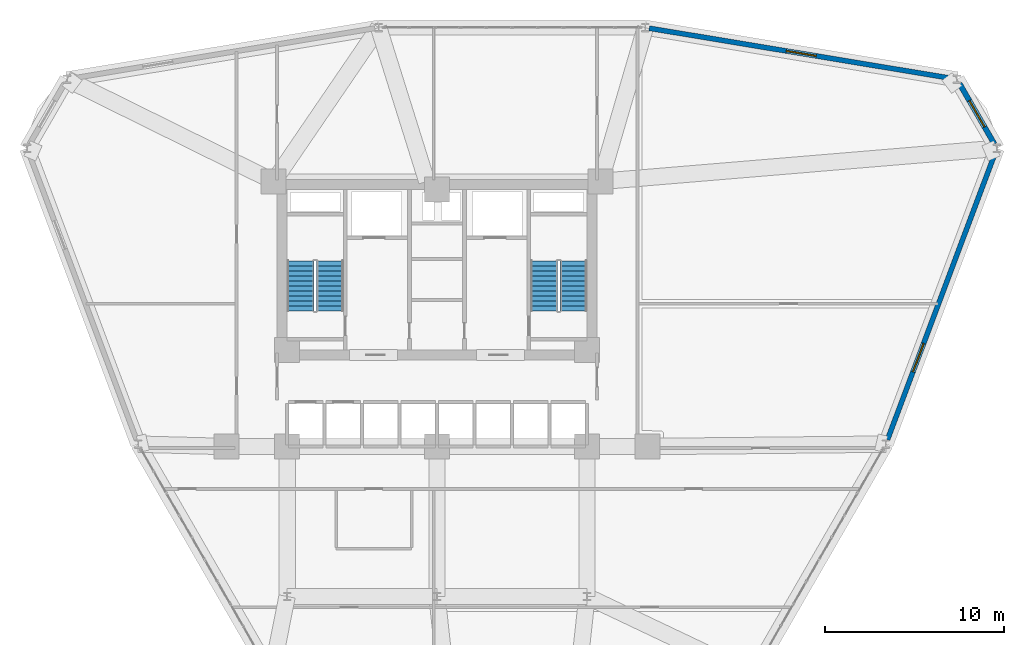
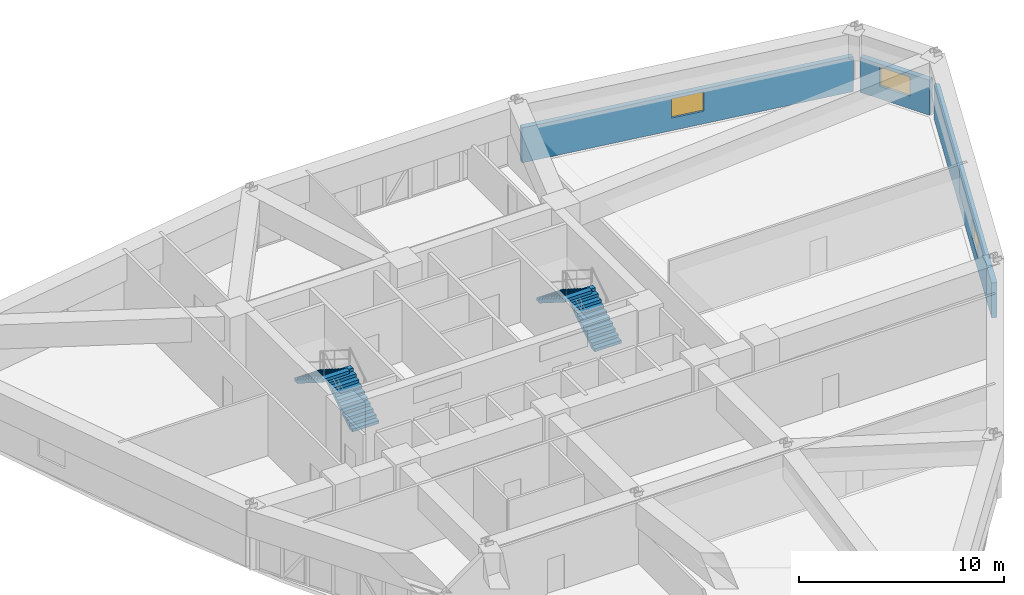
# One storey, part 15 of 17: 4 stair flights, 3 walls, 3 windows, 3 openings, 2 elements without a shape of their own.
"""IFC4 building model written with IfcOpenShell, lengths in metres."""

import ifcopenshell
import ifcopenshell.guid

model = None  # the IFC model being written
_history = None  # IfcOwnerHistory: only IFC2X3 demands one
_inside = {}  # id of a spatial element -> (the spatial element, [elements in it])
_under = {}  # id of a project, library or spatial element -> (it, [spatial elements below it])
_declared = {}  # id of a project -> (the project, [libraries it declares])
_typed = {}  # id of a type object -> (the type object, [elements of that type])
_made_of = {}  # id of a material, layer set ... -> (it, [elements and type objects made of it])


def new_model(schema):
    """Start an empty IFC model of exactly this schema.

    Asked for "IFC4X3", IfcOpenShell would pick the latest addendum, in which some entities
    have other attributes; the version numbers below select the first issue.
    IFC2X3 requires an IfcOwnerHistory on every rooted entity: one is made here for all.
    """
    global model, _history
    if schema == "IFC4X3":
        model = ifcopenshell.file(schema_version=(4, 3, 0, 0))
    else:
        model = ifcopenshell.file(schema=schema)
    _inside.clear()
    _under.clear()
    _declared.clear()
    _typed.clear()
    _made_of.clear()
    _history = None
    if model.schema == "IFC2X3":
        org = make("IfcOrganization", Name="unknown")
        user = make(
            "IfcPersonAndOrganization",
            ThePerson=make("IfcPerson", FamilyName="unknown"),
            TheOrganization=org,
        )
        app = make(
            "IfcApplication",
            ApplicationDeveloper=org,
            Version="unknown",
            ApplicationFullName="unknown",
            ApplicationIdentifier="unknown",
        )
        _history = make(
            "IfcOwnerHistory",
            OwningUser=user,
            OwningApplication=app,
            ChangeAction="ADDED",
            CreationDate=0,
        )
    return model


def make(cls, **values):
    """One entity of the class cls with the attributes given. An attribute that is None is left unset."""
    return model.create_entity(
        cls, **{name: value for name, value in values.items() if value is not None}
    )


def rooted(cls, **values):
    """An entity with a GlobalId (a new one), such as an element, a storey or a relation."""
    return make(cls, GlobalId=ifcopenshell.guid.new(), OwnerHistory=_history, **values)


def si_unit(unit_type, name, prefix=None):
    """IfcSIUnit, for example si_unit("LENGTHUNIT", "METRE", prefix="MILLI")."""
    return make("IfcSIUnit", UnitType=unit_type, Prefix=prefix, Name=name)


def derived_unit(unit_type, elements):
    """IfcDerivedUnit: a product of units, each with its exponent."""
    return make(
        "IfcDerivedUnit",
        Elements=[
            make("IfcDerivedUnitElement", Unit=unit, Exponent=power)
            for unit, power in elements
        ],
        UnitType=unit_type,
    )


def assignment(units):
    """IfcUnitAssignment: the units of a project."""
    return None if units is None else make("IfcUnitAssignment", Units=units)


def point(xyz):
    """IfcCartesianPoint."""
    return None if xyz is None else make("IfcCartesianPoint", Coordinates=xyz)


def direction(xyz):
    """IfcDirection."""
    return None if xyz is None else make("IfcDirection", DirectionRatios=xyz)


def frame(location, z_axis=None, x_axis=None):
    """IfcAxis2Placement3D, a coordinate frame: its origin and axes. An axis left out is left unset."""
    return make(
        "IfcAxis2Placement3D",
        Location=point(location),
        Axis=direction(z_axis),
        RefDirection=direction(x_axis),
    )


def frame_2d(location, x_axis=None):
    """IfcAxis2Placement2D, a coordinate frame in the plane: its origin and x axis."""
    return make(
        "IfcAxis2Placement2D", Location=point(location), RefDirection=direction(x_axis)
    )


def origin():
    """The frame at (0, 0, 0) with its axes left unset."""
    return frame((0.0, 0.0, 0.0))


def place(relative_to, where):
    """IfcLocalPlacement: puts the frame where relative to a parent placement (None: the world)."""
    return make(
        "IfcLocalPlacement", PlacementRelTo=relative_to, RelativePlacement=where
    )


def context(
    kind, dimensions, precision=None, world=None, true_north=None, identifier=None
):
    """IfcGeometricRepresentationContext, for example the 3D "Model" context."""
    return make(
        "IfcGeometricRepresentationContext",
        ContextIdentifier=identifier,
        ContextType=kind,
        CoordinateSpaceDimension=dimensions,
        Precision=precision,
        WorldCoordinateSystem=world,
        TrueNorth=true_north,
    )


def subcontext(parent, identifier, kind, view, scale=None):
    """IfcGeometricRepresentationSubContext, for example "Body" below "Model"."""
    return make(
        "IfcGeometricRepresentationSubContext",
        ContextIdentifier=identifier,
        ContextType=kind,
        ParentContext=parent,
        TargetScale=scale,
        TargetView=view,
    )


def project(units=None, contexts=None):
    """IfcProject with its units and contexts."""
    return rooted(
        "IfcProject",
        Name="project",
        RepresentationContexts=contexts,
        UnitsInContext=assignment(units),
    )


def spatial(cls, under=None, at=None, **own):
    """A site, building, storey or space (cls), placed at a placement, below another one or the project."""
    s = rooted(cls, ObjectPlacement=at, **own)
    if under is not None:
        _under.setdefault(under.id(), (under, []))[1].append(s)
    return s


def polyline(points):
    """IfcPolyline through the points."""
    return make("IfcPolyline", Points=[point(p) for p in points])


def profile(cls, at=None, kind="AREA", **sizes):
    """A parametric profile (cls). Its sizes go by their IFC names, for example OverallWidth=200.0."""
    return make(cls, ProfileType=kind, Position=at, **sizes)


def rectangle(**sizes):
    """IfcRectangleProfileDef."""
    return profile("IfcRectangleProfileDef", **sizes)


def outline(outer, holes=None, kind="AREA"):
    """IfcArbitraryClosedProfileDef: a profile drawn as a closed curve; with holes, ...WithVoids."""
    if holes is None:
        return make("IfcArbitraryClosedProfileDef", ProfileType=kind, OuterCurve=outer)
    return make(
        "IfcArbitraryProfileDefWithVoids",
        ProfileType=kind,
        OuterCurve=outer,
        InnerCurves=holes,
    )


def extrude(swept, where, along, depth):
    """IfcExtrudedAreaSolid: the profile swept, set in the frame where, extruded along a direction by depth."""
    return make(
        "IfcExtrudedAreaSolid",
        SweptArea=swept,
        Position=where,
        ExtrudedDirection=direction(along),
        Depth=depth,
    )


def shape(context_of_items, identifier, shape_type, items):
    """IfcShapeRepresentation: the items that make up one representation, for example the "Body"."""
    return make(
        "IfcShapeRepresentation",
        ContextOfItems=context_of_items,
        RepresentationIdentifier=identifier,
        RepresentationType=shape_type,
        Items=items,
    )


def material(Name=None, Category=None):
    """IfcMaterial."""
    return make("IfcMaterial", Name=Name, Category=Category)


def layer(
    of_material, thickness, ventilated=None, Name=None, Category=None, Priority=None
):
    """IfcMaterialLayer: one layer of a wall or slab, of a material (None: an air gap)."""
    return make(
        "IfcMaterialLayer",
        Material=of_material,
        LayerThickness=thickness,
        IsVentilated=ventilated,
        Name=Name,
        Category=Category,
        Priority=Priority,
    )


def layer_set(layers, Name=None):
    """IfcMaterialLayerSet."""
    return make("IfcMaterialLayerSet", MaterialLayers=layers, LayerSetName=Name)


def made_of(thing, what):
    """Note that an element or type object is made of a material, layer set ...; save() writes the relation."""
    if what is not None:
        _made_of.setdefault(what.id(), (what, []))[1].append(thing)
    return thing


def type_object(cls, material=None, **own):
    """A type object (cls), such as IfcWallType, which elements share."""
    return made_of(rooted(cls, **own), material)


def element(
    cls,
    number,
    at=None,
    inside=None,
    cuts=None,
    type_object=None,
    material=None,
    context=None,
    identifier="Body",
    shape_type=None,
    held_by="IfcProductDefinitionShape",
    body=None,
    shapes=None,
    **own,
):
    """One element of the class cls, such as IfcWall. Its Tag is "e" and its number.

    at: its placement. inside: the storey or other place that contains it. cuts: it is an
    opening in that element (IfcRelVoidsElement). A single representation is given by context,
    identifier, shape_type and body (its items); several are given by shapes. held_by: the class
    of the entity that holds the representations. save() writes the other relations.
    """
    e = rooted(cls, Tag="e%d" % number, ObjectPlacement=at, **own)
    if body is not None:
        shapes = [shape(context, identifier, shape_type, body)]
    if shapes is not None:
        e.Representation = make(held_by, Representations=shapes)
    if inside is not None:
        _inside.setdefault(inside.id(), (inside, []))[1].append(e)
    if cuts is not None:
        rooted(
            "IfcRelVoidsElement", RelatingBuildingElement=cuts, RelatedOpeningElement=e
        )
    if type_object is not None:
        _typed.setdefault(type_object.id(), (type_object, []))[1].append(e)
    return made_of(e, material)


def fill(opening, filler):
    """IfcRelFillsElement: the door or window that sits in an opening."""
    return rooted(
        "IfcRelFillsElement",
        RelatingOpeningElement=opening,
        RelatedBuildingElement=filler,
    )


def aggregate(whole, parts):
    """IfcRelAggregates: a whole, such as a stair, and the parts it consists of."""
    return rooted("IfcRelAggregates", RelatingObject=whole, RelatedObjects=parts)


def save(model, path):
    """Write the relations noted so far, then the file.

    IfcRelAggregates (storeys below a building ...), IfcRelContainedInSpatialStructure (elements
    in a storey), IfcRelDefinesByType, IfcRelAssociatesMaterial and IfcRelDeclares: one each for
    every whole, place, type object, material and project.
    """
    for whole, parts in _under.values():
        aggregate(whole, parts)
    for where, things in _inside.values():
        rooted(
            "IfcRelContainedInSpatialStructure",
            RelatedElements=things,
            RelatingStructure=where,
        )
    for kind, things in _typed.values():
        rooted("IfcRelDefinesByType", RelatedObjects=things, RelatingType=kind)
    for what, things in _made_of.values():
        rooted("IfcRelAssociatesMaterial", RelatedObjects=things, RelatingMaterial=what)
    for by, libraries in _declared.values():
        rooted("IfcRelDeclares", RelatingContext=by, RelatedDefinitions=libraries)
    model.write(path)


model = new_model("IFC4")

# Units and contexts
model_context = context("Model", 3, precision=1e-05, world=origin(), true_north=direction((0.0, 1.0)))
body_context = subcontext(model_context, "Body", "Model", "MODEL_VIEW")
ifc_project = project(units=[si_unit("LENGTHUNIT", "METRE"), si_unit("AREAUNIT", "SQUARE_METRE"), si_unit("VOLUMEUNIT", "CUBIC_METRE"), si_unit("PLANEANGLEUNIT", "RADIAN"), si_unit("MASSUNIT", "GRAM", prefix="KILO"), derived_unit("THERMALTRANSMITTANCEUNIT", [(si_unit("POWERUNIT", "WATT"), 1), (si_unit("LENGTHUNIT", "METRE"), -2), (si_unit("THERMODYNAMICTEMPERATUREUNIT", "KELVIN"), -1)])], contexts=[model_context])

# Site, building, storey
site_placement = place(None, origin())
site = spatial("IfcSite", under=ifc_project, at=site_placement, CompositionType="ELEMENT")
building_placement = place(site_placement, origin())
building = spatial("IfcBuilding", under=site, at=building_placement, Name="Korsvarv Bourse and Concert Hall", CompositionType="ELEMENT")
storey_placement = place(building_placement, frame((0.0, 0.0, 83.39990234375)))
storey = spatial("IfcBuildingStorey", under=building, at=storey_placement, Name="L20", CompositionType="ELEMENT", Elevation=83.39990234375)

# Wall, opening, window
ifc_material_1 = material(Name="Precast concrete C45/55 with terracotta rainscreen", Category="concrete")
ifc_layer_1 = layer(ifc_material_1, 0.300048828125)
ifc_layer_set_1 = layer_set([ifc_layer_1], Name="Precast concrete C45/55 with terracotta rainscreen")
wall_type_1 = type_object("IfcWallType", Name="WL-EXT-TC1", PredefinedType="SOLIDWALL", material=ifc_layer_set_1)
wall_1_placement = place(storey_placement, frame((67.222412109375, 49.34423828125, 0.0), z_axis=(0.0, 0.0, 1.0), x_axis=(-0.500014353419, 0.866017116675, 0.0)))
wall_1 = element("IfcWall", 1, at=wall_1_placement, inside=storey, type_object=wall_type_1, Name="L20 terracotta exterior wall EW-L20-B01", PredefinedType="SOLIDWALL", context=body_context, shape_type="SweptSolid", body=[
    extrude(rectangle(XDim=3.90966796875, YDim=0.300048828125, at=frame_2d((1.954833984375, 0.0))), origin(), (0.0, 0.0, 1.0), 2.080078125),
])
opening_1_placement = place(wall_1_placement, frame((1.104736328125, 0.0, 0.75)))
opening_1 = element("IfcOpeningElement", 2, at=opening_1_placement, cuts=wall_1, Name="Opening W-06", PredefinedType="OPENING", context=body_context, shape_type="SweptSolid", body=[
    extrude(rectangle(XDim=1.699951171875, YDim=1.14990234375, at=frame_2d((0.85009765625, 0.574951171875))), frame((0.0, 0.16015625, 0.0), z_axis=(0.0, -1.0, 0.0), x_axis=(1.0, 0.0, 0.0)), (0.0, 0.0, 1.0), 0.320068359375),
])
ifc_material_2 = material(Name="Thermally broken aluminium frame with triple low-E glass", Category="glass")
window_type = type_object("IfcWindowType", Name="WIN-TW1-1700X1150", PartitioningType="SINGLE_PANEL", PredefinedType="WINDOW", material=ifc_material_2)
window_1_placement = place(opening_1_placement, origin())
window_1 = element("IfcWindow", 3, at=window_1_placement, inside=storey, type_object=window_type, Name="L20 punched facade window W-06", OverallHeight=1.14990234375, OverallWidth=1.699951171875, PartitioningType="SINGLE_PANEL", PredefinedType="WINDOW", context=body_context, shape_type="SweptSolid", body=[
    extrude(rectangle(XDim=1.699951171875, YDim=1.14990234375, at=frame_2d((0.85009765625, 0.574951171875))), frame((0.0, 0.030029296875, 0.0), z_axis=(0.0, -1.0, 0.0), x_axis=(1.0, 0.0, 0.0)), (0.0, 0.0, 1.0), 0.06005859375),
])
fill(opening_1, window_1)

ifc_material_3 = material(Name="Precast concrete C45/55 with fluted terracotta pier", Category="concrete")
ifc_layer_2 = layer(ifc_material_3, 0.280029296875)
ifc_layer_set_2 = layer_set([ifc_layer_2], Name="Precast concrete C45/55 with fluted terracotta pier")
wall_type_2 = type_object("IfcWallType", Name="WL-EXT-TC2", PredefinedType="SOLIDWALL", material=ifc_layer_set_2)
wall_2_placement = place(storey_placement, frame((64.910888671875, 53.008056640625, 0.0), z_axis=(0.0, 0.0, 1.0), x_axis=(-0.986523232029, 0.163621247604, 0.0)))
wall_2 = element("IfcWall", 4, at=wall_2_placement, inside=storey, type_object=wall_type_2, Name="L20 terracotta exterior wall EW-L20-B02", PredefinedType="SOLIDWALL", context=body_context, shape_type="SweptSolid", body=[
    extrude(rectangle(XDim=17.2578125, YDim=0.280029296875, at=frame_2d((8.62890625, 0.0))), origin(), (0.0, 0.0, 1.0), 2.080078125),
])
opening_2_placement = place(wall_2_placement, frame((7.77880859375, 0.0, 0.75)))
opening_2 = element("IfcOpeningElement", 5, at=opening_2_placement, cuts=wall_2, Name="Opening W-06", PredefinedType="OPENING", context=body_context, shape_type="SweptSolid", body=[
    extrude(rectangle(XDim=1.699951171875, YDim=1.14990234375, at=frame_2d((0.85009765625, 0.574951171875))), frame((0.0, 0.14990234375, 0.0), z_axis=(0.0, -1.0, 0.0), x_axis=(1.0, 0.0, 0.0)), (0.0, 0.0, 1.0), 0.300048828125),
])
window_2_placement = place(opening_2_placement, origin())
window_2 = element("IfcWindow", 6, at=window_2_placement, inside=storey, type_object=window_type, Name="L20 punched facade window W-06", OverallHeight=1.14990234375, OverallWidth=1.699951171875, PartitioningType="SINGLE_PANEL", PredefinedType="WINDOW", context=body_context, shape_type="SweptSolid", body=[
    extrude(rectangle(XDim=1.699951171875, YDim=1.14990234375, at=frame_2d((0.85009765625, 0.574951171875))), frame((0.0, 0.030029296875, 0.0), z_axis=(0.0, -1.0, 0.0), x_axis=(1.0, 0.0, 0.0)), (0.0, 0.0, 1.0), 0.06005859375),
])
fill(opening_2, window_2)

wall_3_placement = place(storey_placement, frame((61.231201171875, 32.776123046875, 0.0), z_axis=(0.0, 0.0, 1.0), x_axis=(0.351559441404, 0.936165561832, 0.0)))
wall_3 = element("IfcWall", 7, at=wall_3_placement, inside=storey, type_object=wall_type_2, Name="L20 terracotta exterior wall EW-L20-B12", PredefinedType="SOLIDWALL", context=body_context, shape_type="SweptSolid", body=[
    extrude(rectangle(XDim=17.1806640625, YDim=0.280029296875, at=frame_2d((8.59033203125, 0.0))), origin(), (0.0, 0.0, 1.0), 2.080078125),
])
opening_3_placement = place(wall_3_placement, frame((4.0703125, 0.0, 0.75)))
opening_3 = element("IfcOpeningElement", 8, at=opening_3_placement, cuts=wall_3, Name="Opening W-06", PredefinedType="OPENING", context=body_context, shape_type="SweptSolid", body=[
    extrude(rectangle(XDim=1.699951171875, YDim=1.14990234375, at=frame_2d((0.85009765625, 0.574951171875))), frame((0.0, 0.14990234375, 0.0), z_axis=(0.0, -1.0, 0.0), x_axis=(1.0, 0.0, 0.0)), (0.0, 0.0, 1.0), 0.300048828125),
])
window_3_placement = place(opening_3_placement, origin())
window_3 = element("IfcWindow", 9, at=window_3_placement, inside=storey, type_object=window_type, Name="L20 punched facade window W-06", OverallHeight=1.14990234375, OverallWidth=1.699951171875, PartitioningType="SINGLE_PANEL", PredefinedType="WINDOW", context=body_context, shape_type="SweptSolid", body=[
    extrude(rectangle(XDim=1.699951171875, YDim=1.14990234375, at=frame_2d((0.85009765625, 0.574951171875))), frame((0.0, 0.030029296875, 0.0), z_axis=(0.0, -1.0, 0.0), x_axis=(1.0, 0.0, 0.0)), (0.0, 0.0, 1.0), 0.06005859375),
])
fill(opening_3, window_3)

# Stair, stair flights
ifc_material_4 = material(Name="Precast concrete C45/55", Category="concrete")
stair_type = type_object("IfcStairType", Name="STR-TYPE-03", PredefinedType="HALF_TURN_STAIR", material=ifc_material_4)
stair_1_placement = place(storey_placement, origin())
stair_1 = element("IfcStair", 10, at=stair_1_placement, inside=storey, type_object=stair_type, Name="L20 Tower West Exit Stair ST-T1", PredefinedType="HALF_TURN_STAIR")
stair_flight_type = type_object("IfcStairFlightType", Name="FLT-TYPE-03", PredefinedType="STRAIGHT", material=ifc_material_4)
stair_flight_1_placement = place(storey_placement, frame((30.010009765625, 40.0, 0.0), z_axis=(0.0, 0.0, 1.0), x_axis=(0.0, 1.0, 0.0)))
stair_flight_1 = element("IfcStairFlight", 11, at=stair_flight_1_placement, type_object=stair_flight_type, Name="ST-T1 flight 1", NumberOfRisers=11, NumberOfTreads=10, PredefinedType="STRAIGHT", RiserHeight=0.177272727, TreadLength=0.28, context=body_context, shape_type="SweptSolid", body=[
    extrude(outline(polyline([(0.0, 0.0), (0.0, 0.17724609375), (0.280029296875, 0.17724609375), (0.280029296875, 0.3544921875), (0.56005859375, 0.3544921875), (0.56005859375, 0.53173828125), (0.840087890625, 0.53173828125), (0.840087890625, 0.708984375), (1.1201171875, 0.708984375), (1.1201171875, 0.886474609375), (1.39990234375, 0.886474609375), (1.39990234375, 1.063720703125), (1.679931640625, 1.063720703125), (1.679931640625, 1.240966796875), (1.9599609375, 1.240966796875), (1.9599609375, 1.418212890625), (2.239990234375, 1.418212890625), (2.239990234375, 1.595458984375), (2.52001953125, 1.595458984375), (2.52001953125, 1.772705078125), (2.800048828125, 1.772705078125), (2.800048828125, 1.949951171875), (2.800048828125, 1.59521484375), (0.2802734375, 0.0), (0.0, 0.0)])), frame((0.0, 0.75, 0.0), z_axis=(0.0, -1.0, 0.0), x_axis=(1.0, 0.0, 0.0)), (0.0, 0.0, 1.0), 1.5),
])
stair_flight_2_placement = place(storey_placement, frame((28.35009765625, 42.800048828125, 1.9501953125), z_axis=(0.0, 0.0, 1.0), x_axis=(0.0, -1.0, 0.0)))
stair_flight_2 = element("IfcStairFlight", 12, at=stair_flight_2_placement, type_object=stair_flight_type, Name="ST-T1 flight 2", NumberOfRisers=11, NumberOfTreads=10, PredefinedType="STRAIGHT", RiserHeight=0.177272727, TreadLength=0.28, context=body_context, shape_type="SweptSolid", body=[
    extrude(outline(polyline([(0.0, 0.0), (0.0, 0.17724609375), (0.280029296875, 0.17724609375), (0.280029296875, 0.3544921875), (0.56005859375, 0.3544921875), (0.56005859375, 0.53173828125), (0.840087890625, 0.53173828125), (0.840087890625, 0.708984375), (1.1201171875, 0.708984375), (1.1201171875, 0.886474609375), (1.39990234375, 0.886474609375), (1.39990234375, 1.063720703125), (1.679931640625, 1.063720703125), (1.679931640625, 1.240966796875), (1.9599609375, 1.240966796875), (1.9599609375, 1.418212890625), (2.239990234375, 1.418212890625), (2.239990234375, 1.595458984375), (2.52001953125, 1.595458984375), (2.52001953125, 1.772705078125), (2.800048828125, 1.772705078125), (2.800048828125, 1.949951171875), (2.800048828125, 1.59521484375), (0.2802734375, 0.0), (0.0, 0.0)])), frame((0.0, 0.75, 0.0), z_axis=(0.0, -1.0, 0.0), x_axis=(1.0, 0.0, 0.0)), (0.0, 0.0, 1.0), 1.5),
])
aggregate(stair_1, [stair_flight_1, stair_flight_2])

stair_2_placement = place(storey_placement, origin())
stair_2 = element("IfcStair", 13, at=stair_2_placement, inside=storey, type_object=stair_type, Name="L20 Tower East Exit Stair ST-T2", PredefinedType="HALF_TURN_STAIR")
stair_flight_3_placement = place(storey_placement, frame((43.64990234375, 40.0, 0.0), z_axis=(0.0, 0.0, 1.0), x_axis=(0.0, 1.0, 0.0)))
stair_flight_3 = element("IfcStairFlight", 14, at=stair_flight_3_placement, type_object=stair_flight_type, Name="ST-T2 flight 1", NumberOfRisers=11, NumberOfTreads=10, PredefinedType="STRAIGHT", RiserHeight=0.177272727, TreadLength=0.28, context=body_context, shape_type="SweptSolid", body=[
    extrude(outline(polyline([(0.0, 0.0), (0.0, 0.17724609375), (0.280029296875, 0.17724609375), (0.280029296875, 0.3544921875), (0.56005859375, 0.3544921875), (0.56005859375, 0.53173828125), (0.840087890625, 0.53173828125), (0.840087890625, 0.708984375), (1.1201171875, 0.708984375), (1.1201171875, 0.886474609375), (1.39990234375, 0.886474609375), (1.39990234375, 1.063720703125), (1.679931640625, 1.063720703125), (1.679931640625, 1.240966796875), (1.9599609375, 1.240966796875), (1.9599609375, 1.418212890625), (2.239990234375, 1.418212890625), (2.239990234375, 1.595458984375), (2.52001953125, 1.595458984375), (2.52001953125, 1.772705078125), (2.800048828125, 1.772705078125), (2.800048828125, 1.949951171875), (2.800048828125, 1.59521484375), (0.2802734375, 0.0), (0.0, 0.0)])), frame((0.0, 0.75, 0.0), z_axis=(0.0, -1.0, 0.0), x_axis=(1.0, 0.0, 0.0)), (0.0, 0.0, 1.0), 1.5),
])
stair_flight_4_placement = place(storey_placement, frame((41.989990234375, 42.800048828125, 1.9501953125), z_axis=(0.0, 0.0, 1.0), x_axis=(0.0, -1.0, 0.0)))
stair_flight_4 = element("IfcStairFlight", 15, at=stair_flight_4_placement, type_object=stair_flight_type, Name="ST-T2 flight 2", NumberOfRisers=11, NumberOfTreads=10, PredefinedType="STRAIGHT", RiserHeight=0.177272727, TreadLength=0.28, context=body_context, shape_type="SweptSolid", body=[
    extrude(outline(polyline([(0.0, 0.0), (0.0, 0.17724609375), (0.280029296875, 0.17724609375), (0.280029296875, 0.3544921875), (0.56005859375, 0.3544921875), (0.56005859375, 0.53173828125), (0.840087890625, 0.53173828125), (0.840087890625, 0.708984375), (1.1201171875, 0.708984375), (1.1201171875, 0.886474609375), (1.39990234375, 0.886474609375), (1.39990234375, 1.063720703125), (1.679931640625, 1.063720703125), (1.679931640625, 1.240966796875), (1.9599609375, 1.240966796875), (1.9599609375, 1.418212890625), (2.239990234375, 1.418212890625), (2.239990234375, 1.595458984375), (2.52001953125, 1.595458984375), (2.52001953125, 1.772705078125), (2.800048828125, 1.772705078125), (2.800048828125, 1.949951171875), (2.800048828125, 1.59521484375), (0.2802734375, 0.0), (0.0, 0.0)])), frame((0.0, 0.75, 0.0), z_axis=(0.0, -1.0, 0.0), x_axis=(1.0, 0.0, 0.0)), (0.0, 0.0, 1.0), 1.5),
])
aggregate(stair_2, [stair_flight_3, stair_flight_4])

save(model, "model.ifc")
